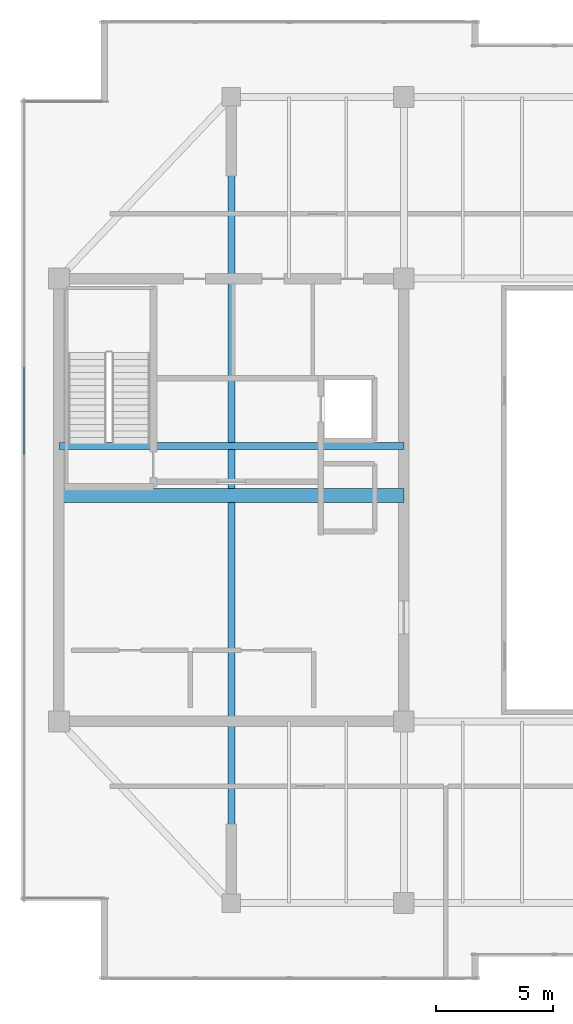
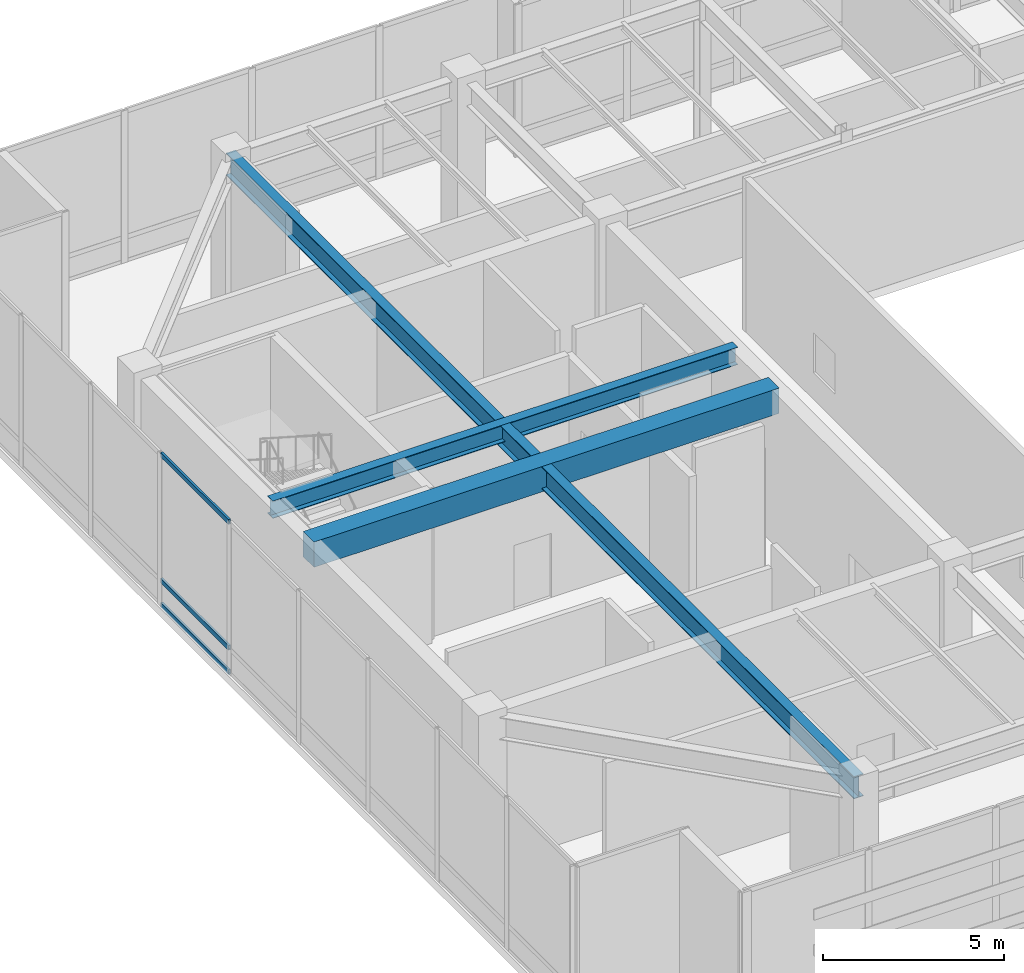
# One storey, part 10 of 30: 3 beams, 3 members, 1 element without a shape of its own.
"""IFC4 building model written with IfcOpenShell, lengths in metres."""

from ifc_helpers import new_model, si_unit, direction, frame, origin, origin_2d, place, context, subcontext, project, spatial, rectangle, hollow_rectangle, i_section, extrude, source, transform, mapped, material, layer, layer_set, material_profile, profile_set, type_object, type_shapes, element, aggregate, save


model = new_model("IFC4")

# Units and contexts
model_context = context("Model", 3, precision=1e-05, world=origin(), true_north=direction((0.0, 1.0)))
body_context = subcontext(model_context, "Body", "Model", "MODEL_VIEW")
ifc_project = project(units=[si_unit("LENGTHUNIT", "METRE"), si_unit("AREAUNIT", "SQUARE_METRE"), si_unit("VOLUMEUNIT", "CUBIC_METRE"), si_unit("PLANEANGLEUNIT", "RADIAN"), si_unit("MASSUNIT", "GRAM", prefix="KILO")], contexts=[model_context])

# Site, building, storey
site_placement = place(None, origin())
site = spatial("IfcSite", under=ifc_project, at=site_placement, CompositionType="ELEMENT")
building_placement = place(site_placement, origin())
building = spatial("IfcBuilding", under=site, at=building_placement, Name="Haelvirn Gate Laboratories", CompositionType="ELEMENT")
storey_placement = place(building_placement, frame((0.0, 0.0, 332.39990234375)))
storey = spatial("IfcBuildingStorey", under=building, at=storey_placement, Name="L79", CompositionType="ELEMENT", Elevation=332.39990234375)

# Beams
ifc_material_1 = material(Name="Steel SM355", Category="steel")
ifc_material_profile_1 = material_profile(ifc_material_1, i_section(OverallWidth=0.300048828125, OverallDepth=0.75, WebThickness=0.013916015625, FlangeThickness=0.02392578125, at=origin_2d()), Name="H-750x300x14x24")
ifc_profile_set_1 = profile_set([ifc_material_profile_1], Name="Steel SM355")
beam_type_1 = type_object("IfcBeamType", Name="BM-G-750", PredefinedType="BEAM", material=ifc_profile_set_1)
shared_shape_1 = source(origin(), body_context, "Body", "SweptSolid", [
    extrude(i_section(OverallWidth=0.300048828125, OverallDepth=0.75, WebThickness=0.013916015625, FlangeThickness=0.02392578125, at=origin_2d()), origin(), (0.0, 0.0, 1.0), 34.60009765625),
])
type_shapes(beam_type_1, [shared_shape_1])
beam_1_placement = place(storey_placement, frame((14.800048828125, 7.0, 4.7451171875), z_axis=(0.0, 1.0, 0.0), x_axis=(-1.0, 0.0, 0.0)))
element("IfcBeam", 1, at=beam_1_placement, inside=storey, type_object=beam_type_1, Name="L79 Frame Girder X14.8 (7.0-41.6)", PredefinedType="BEAM", context=body_context, shape_type="MappedRepresentation", body=[
    mapped(shared_shape_1, transform((0.0, 0.0, 0.0), scale=1.0)),
])
ifc_material_profile_2 = material_profile(ifc_material_1, i_section(OverallWidth=0.300048828125, OverallDepth=0.587890625, WebThickness=0.011962890625, FlangeThickness=0.02001953125, at=origin_2d()), Name="H-588x300x12x20")
ifc_profile_set_2 = profile_set([ifc_material_profile_2], Name="Steel SM355")
beam_type_2 = type_object("IfcBeamType", Name="BM-G-588", PredefinedType="BEAM", material=ifc_profile_set_2)
shared_shape_2 = source(origin(), body_context, "Body", "SweptSolid", [
    extrude(i_section(OverallWidth=0.300048828125, OverallDepth=0.587890625, WebThickness=0.011962890625, FlangeThickness=0.02001953125, at=origin_2d()), origin(), (0.0, 0.0, 1.0), 14.800048828125),
])
type_shapes(beam_type_2, [shared_shape_2])
beam_2_placement = place(storey_placement, frame((7.39990234375, 26.6201171875, 4.826171875), z_axis=(1.0, 0.0, 0.0), x_axis=(0.0, 1.0, 0.0)))
element("IfcBeam", 2, at=beam_2_placement, inside=storey, type_object=beam_type_2, Name="L79 Stair ST1 Landing Header", PredefinedType="BEAM", context=body_context, shape_type="MappedRepresentation", body=[
    mapped(shared_shape_2, transform((0.0, 0.0, 0.0), scale=1.0)),
])
ifc_material_2 = material(Name="Concrete C50/60", Category="concrete")
ifc_material_profile_3 = material_profile(ifc_material_2, rectangle(XDim=0.60009765625, YDim=0.85009765625, at=origin_2d()), Name="RCB-600x850")
ifc_profile_set_3 = profile_set([ifc_material_profile_3], Name="Concrete C50/60")
beam_type_3 = type_object("IfcBeamType", Name="BM-RCB-850", PredefinedType="LINTEL", material=ifc_profile_set_3)
shared_shape_3 = source(origin(), body_context, "Body", "SweptSolid", [
    extrude(rectangle(XDim=0.60009765625, YDim=0.85009765625, at=origin_2d()), origin(), (0.0, 0.0, 1.0), 14.800048828125),
])
type_shapes(beam_type_3, [shared_shape_3])
beam_3_placement = place(storey_placement, frame((7.39990234375, 24.5, 4.695068359375), z_axis=(1.0, 0.0, 0.0), x_axis=(0.0, 1.0, 0.0)))
element("IfcBeam", 3, at=beam_3_placement, inside=storey, type_object=beam_type_3, Name="L79 West Core Coupling Beam", PredefinedType="LINTEL", context=body_context, shape_type="MappedRepresentation", body=[
    mapped(shared_shape_3, transform((0.0, 0.0, 0.0), scale=1.0)),
])

# Curtain wall, members
ifc_material_3 = material(Name="Anodised bronze unitised aluminium & triple low-E glass", Category="aluminium")
ifc_layer = layer(ifc_material_3, 0.19189453125, Name="CW-SYS-6")
ifc_layer_set = layer_set([ifc_layer], Name="Anodised bronze unitised aluminium & triple low-E glass")
curtain_wall_type = type_object("IfcCurtainWallType", Name="CW-SYS-6", PredefinedType="NOTDEFINED", material=ifc_layer_set)
curtain_wall_placement = place(storey_placement, origin())
curtain_wall = element("IfcCurtainWall", 4, at=curtain_wall_placement, inside=storey, type_object=curtain_wall_type, Name="L79 Unitised Curtain Wall CW-L79-P0-E17", PredefinedType="NOTDEFINED")
ifc_material_4 = material(Name="Extruded aluminium 6063-T6 (anodised bronze)", Category="aluminium")
ifc_material_profile_4 = material_profile(ifc_material_4, hollow_rectangle(XDim=0.070068359375, YDim=0.159912109375, WallThickness=0.0048828125, at=origin_2d()), Name="CWT-160x70x5")
ifc_profile_set_4 = profile_set([ifc_material_profile_4], Name="Extruded aluminium 6063-T6 (anodised bronze)")
member_type = type_object("IfcMemberType", Name="CWT-T160", PredefinedType="USERDEFINED", material=ifc_profile_set_4)
shared_shape_4 = source(origin(), body_context, "Body", "SweptSolid", [
    extrude(hollow_rectangle(XDim=0.070068359375, YDim=0.159912109375, WallThickness=0.0048828125, at=origin_2d()), origin(), (0.0, 0.0, 1.0), 3.7421875),
])
type_shapes(member_type, [shared_shape_4])
member_1_placement = place(storey_placement, frame((5.89990234375, 29.993408203125, 0.03515625), z_axis=(0.0, -1.0, 0.0), x_axis=(1.0, 0.0, 0.0)))
member_1 = element("IfcMember", 5, at=member_1_placement, type_object=member_type, Name="CW6 transom 4.1", ObjectType="TRANSOM", PredefinedType="USERDEFINED", context=body_context, shape_type="MappedRepresentation", body=[
    mapped(shared_shape_4, transform((0.0, 0.0, 0.0), scale=1.0)),
])
member_2_placement = place(storey_placement, frame((5.89990234375, 29.993408203125, 0.85009765625), z_axis=(0.0, -1.0, 0.0), x_axis=(1.0, 0.0, 0.0)))
member_2 = element("IfcMember", 6, at=member_2_placement, type_object=member_type, Name="CW6 transom 4.2", ObjectType="TRANSOM", PredefinedType="USERDEFINED", context=body_context, shape_type="MappedRepresentation", body=[
    mapped(shared_shape_4, transform((0.0, 0.0, 0.0), scale=1.0)),
])
member_3_placement = place(storey_placement, frame((5.89990234375, 29.993408203125, 5.085205078125), z_axis=(0.0, -1.0, 0.0), x_axis=(1.0, 0.0, 0.0)))
member_3 = element("IfcMember", 7, at=member_3_placement, type_object=member_type, Name="CW6 transom 4.3", ObjectType="TRANSOM", PredefinedType="USERDEFINED", context=body_context, shape_type="MappedRepresentation", body=[
    mapped(shared_shape_4, transform((0.0, 0.0, 0.0), scale=1.0)),
])
aggregate(curtain_wall, [member_1, member_2, member_3])

save(model, "model.ifc")
